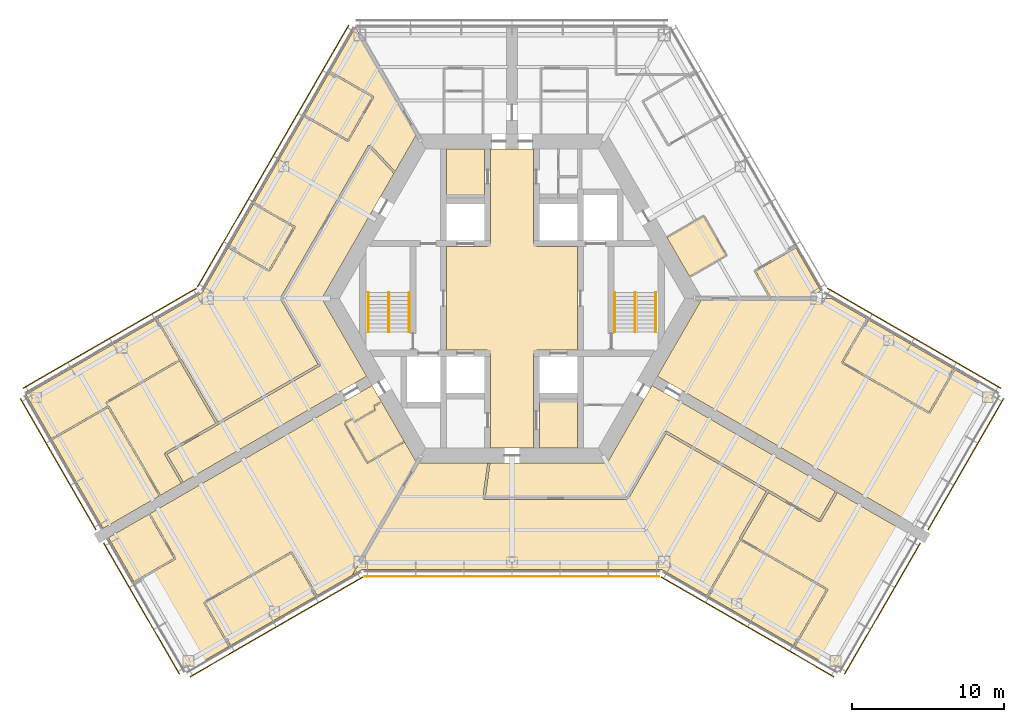
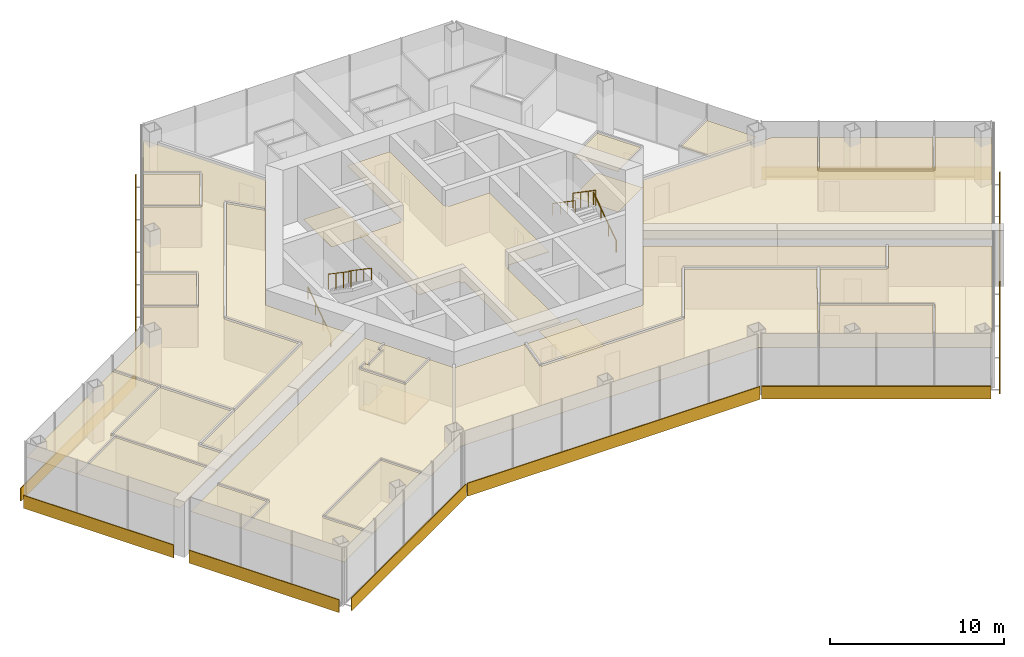
# One storey, part 17 of 18: 24 coverings, 10 shading devices, 6 railings.
"""IFC4 building model written with IfcOpenShell, lengths in metres."""

from ifc_helpers import new_model, si_unit, direction, frame, origin, origin_2d, place, context, subcontext, project, spatial, polyline, rectangle, circle, outline, extrude, material, layer, layer_set, type_object, element, save


model = new_model("IFC4")

# Units and contexts
model_context = context("Model", 3, precision=1e-05, world=origin(), true_north=direction((0.0, 1.0)))
body_context = subcontext(model_context, "Body", "Model", "MODEL_VIEW")
ifc_project = project(units=[si_unit("LENGTHUNIT", "METRE"), si_unit("AREAUNIT", "SQUARE_METRE"), si_unit("VOLUMEUNIT", "CUBIC_METRE"), si_unit("PLANEANGLEUNIT", "RADIAN"), si_unit("MASSUNIT", "GRAM", prefix="KILO")], contexts=[model_context])

# Site, building, storey
site_placement = place(None, origin())
site = spatial("IfcSite", under=ifc_project, at=site_placement, CompositionType="ELEMENT")
building_placement = place(site_placement, origin())
building = spatial("IfcBuilding", under=site, at=building_placement, Name="Kasaneha Research Tower", CompositionType="ELEMENT")
storey_placement = place(building_placement, frame((0.0, 0.0, 148.699951171875)))
storey = spatial("IfcBuildingStorey", under=building, at=storey_placement, Name="L37", CompositionType="ELEMENT", Elevation=148.699951171875)

# Covering
ifc_material_1 = material(Name="Aluminium panel ceiling", Category="aluminium")
ifc_layer_1 = layer(ifc_material_1, 0.0400390625)
ifc_layer_set_1 = layer_set([ifc_layer_1], Name="Lift lobby ceiling 40")
covering_type_1 = type_object("IfcCoveringType", Name="Lift lobby ceiling 40", PredefinedType="CEILING", material=ifc_layer_set_1)
covering_1_placement = place(storey_placement, frame((0.0, 0.0, 2.699951171875)))
element("IfcCovering", 1, at=covering_1_placement, inside=storey, type_object=covering_type_1, Name="Ceiling L37-01", PredefinedType="CEILING", context=body_context, shape_type="SweptSolid", body=[
    extrude(outline(polyline([(1.39990234375, 9.824951171875), (1.39990234375, 3.60009765625), (1.60009765625, 3.60009765625), (1.60009765625, 3.39990234375), (4.300048828125, 3.39990234375), (4.300048828125, -3.39990234375), (1.60009765625, -3.39990234375), (1.60009765625, -3.60009765625), (1.39990234375, -3.60009765625), (1.39990234375, -9.824951171875), (-1.39990234375, -9.824951171875), (-1.39990234375, -3.60009765625), (-1.60009765625, -3.60009765625), (-1.60009765625, -3.39990234375), (-4.300048828125, -3.39990234375), (-4.300048828125, 3.39990234375), (-1.60009765625, 3.39990234375), (-1.60009765625, 3.60009765625), (-1.39990234375, 3.60009765625), (-1.39990234375, 9.824951171875), (1.39990234375, 9.824951171875)])), origin(), (0.0, 0.0, 1.0), 0.0400390625),
])

# Railings
ifc_material_2 = material(Name="Steel", Category="steel")
railing_type_1 = type_object("IfcRailingType", Name="Stair balustrade 1100", PredefinedType="GUARDRAIL", material=ifc_material_2)
for number, where, name in (
    (2, (8.10009765625, 0.39990234375, 2.12744140625), "Stair 1 balustrade L37"),
    (3, (-8.10009765625, 0.39990234375, 2.12744140625), "Stair 2 balustrade L37"),
):
    element("IfcRailing", number, at=place(storey_placement, frame(where)), inside=storey, type_object=railing_type_1, Name=name, PredefinedType="GUARDRAIL", context=body_context, shape_type="SweptSolid", body=[
        extrude(circle(Radius=0.02392578125, at=origin_2d()), frame((0.0, 0.0, 1.076171875), z_axis=(0.0, -0.826215852431, 0.563353676824), x_axis=(1.0, 0.0, 0.0)), (0.0, 0.0, 1.0), 3.146728515625),
        extrude(circle(Radius=0.02099609375, at=origin_2d()), origin(), (0.0, 0.0, 1.0), 1.052001953125),
        extrude(circle(Radius=0.02099609375, at=origin_2d()), frame((0.0, -0.86669921875, 0.5908203125)), (0.0, 0.0, 1.0), 1.052001953125),
        extrude(circle(Radius=0.02099609375, at=origin_2d()), frame((0.0, -1.733154296875, 1.181884765625)), (0.0, 0.0, 1.0), 1.052001953125),
        extrude(circle(Radius=0.02099609375, at=origin_2d()), frame((0.0, -2.599853515625, 1.772705078125)), (0.0, 0.0, 1.0), 1.052001953125),
    ])
ifc_material_3 = material(Name="Steel", Category="steel")
railing_type_2 = type_object("IfcRailingType", Name="Stair handrail 850", PredefinedType="HANDRAIL", material=ifc_material_3)
railing_1_placement = place(storey_placement, frame((9.449951171875, -2.199951171875, 0.17724609375)))
element("IfcRailing", 4, at=railing_1_placement, inside=storey, type_object=railing_type_2, Name="Stair 1 handrail L37", PredefinedType="HANDRAIL", context=body_context, shape_type="SweptSolid", body=[
    extrude(circle(Radius=0.02392578125, at=origin_2d()), frame((0.0, 0.0, 0.826171875), z_axis=(0.0, 0.826215852431, 0.563353676824), x_axis=(-1.0, 0.0, 0.0)), (0.0, 0.0, 1.0), 3.146728515625),
    extrude(circle(Radius=0.02099609375, at=origin_2d()), origin(), (0.0, 0.0, 1.0), 0.802001953125),
    extrude(circle(Radius=0.02099609375, at=origin_2d()), frame((0.0, 0.86669921875, 0.5908203125)), (0.0, 0.0, 1.0), 0.802001953125),
    extrude(circle(Radius=0.02099609375, at=origin_2d()), frame((0.0, 1.733154296875, 1.181884765625)), (0.0, 0.0, 1.0), 0.802001953125),
    extrude(circle(Radius=0.02099609375, at=origin_2d()), frame((0.0, 2.599853515625, 1.772705078125)), (0.0, 0.0, 1.0), 0.802001953125),
])
railing_2_placement = place(storey_placement, frame((6.75, 0.39990234375, 2.12744140625)))
element("IfcRailing", 5, at=railing_2_placement, inside=storey, type_object=railing_type_2, Name="Stair 1 handrail L37", PredefinedType="HANDRAIL", context=body_context, shape_type="SweptSolid", body=[
    extrude(circle(Radius=0.02392578125, at=origin_2d()), frame((0.0, 0.0, 0.826171875), z_axis=(0.0, -0.826215852431, 0.563353676824), x_axis=(1.0, 0.0, 0.0)), (0.0, 0.0, 1.0), 3.146728515625),
    extrude(circle(Radius=0.02099609375, at=origin_2d()), origin(), (0.0, 0.0, 1.0), 0.802001953125),
    extrude(circle(Radius=0.02099609375, at=origin_2d()), frame((0.0, -0.86669921875, 0.5908203125)), (0.0, 0.0, 1.0), 0.802001953125),
    extrude(circle(Radius=0.02099609375, at=origin_2d()), frame((0.0, -1.733154296875, 1.181884765625)), (0.0, 0.0, 1.0), 0.802001953125),
    extrude(circle(Radius=0.02099609375, at=origin_2d()), frame((0.0, -2.599853515625, 1.772705078125)), (0.0, 0.0, 1.0), 0.802001953125),
])
railing_3_placement = place(storey_placement, frame((-9.449951171875, -2.199951171875, 0.17724609375)))
element("IfcRailing", 6, at=railing_3_placement, inside=storey, type_object=railing_type_2, Name="Stair 2 handrail L37", PredefinedType="HANDRAIL", context=body_context, shape_type="SweptSolid", body=[
    extrude(circle(Radius=0.02392578125, at=origin_2d()), frame((0.0, 0.0, 0.826171875), z_axis=(0.0, 0.826215852431, 0.563353676824), x_axis=(-1.0, 0.0, 0.0)), (0.0, 0.0, 1.0), 3.146728515625),
    extrude(circle(Radius=0.02099609375, at=origin_2d()), origin(), (0.0, 0.0, 1.0), 0.802001953125),
    extrude(circle(Radius=0.02099609375, at=origin_2d()), frame((0.0, 0.86669921875, 0.5908203125)), (0.0, 0.0, 1.0), 0.802001953125),
    extrude(circle(Radius=0.02099609375, at=origin_2d()), frame((0.0, 1.733154296875, 1.181884765625)), (0.0, 0.0, 1.0), 0.802001953125),
    extrude(circle(Radius=0.02099609375, at=origin_2d()), frame((0.0, 2.599853515625, 1.772705078125)), (0.0, 0.0, 1.0), 0.802001953125),
])
railing_4_placement = place(storey_placement, frame((-6.75, 0.39990234375, 2.12744140625)))
element("IfcRailing", 7, at=railing_4_placement, inside=storey, type_object=railing_type_2, Name="Stair 2 handrail L37", PredefinedType="HANDRAIL", context=body_context, shape_type="SweptSolid", body=[
    extrude(circle(Radius=0.02392578125, at=origin_2d()), frame((0.0, 0.0, 0.826171875), z_axis=(0.0, -0.826215852431, 0.563353676824), x_axis=(1.0, 0.0, 0.0)), (0.0, 0.0, 1.0), 3.146728515625),
    extrude(circle(Radius=0.02099609375, at=origin_2d()), origin(), (0.0, 0.0, 1.0), 0.802001953125),
    extrude(circle(Radius=0.02099609375, at=origin_2d()), frame((0.0, -0.86669921875, 0.5908203125)), (0.0, 0.0, 1.0), 0.802001953125),
    extrude(circle(Radius=0.02099609375, at=origin_2d()), frame((0.0, -1.733154296875, 1.181884765625)), (0.0, 0.0, 1.0), 0.802001953125),
    extrude(circle(Radius=0.02099609375, at=origin_2d()), frame((0.0, -2.599853515625, 1.772705078125)), (0.0, 0.0, 1.0), 0.802001953125),
])

# Coverings
ifc_material_4 = material(Name="Gypsum ceiling board", Category="gypsum")
ifc_layer_2 = layer(ifc_material_4, 0.02001953125)
ifc_layer_set_2 = layer_set([ifc_layer_2], Name="Suspended ceiling 20")
covering_type_2 = type_object("IfcCoveringType", Name="Suspended ceiling 20", PredefinedType="CEILING", material=ifc_layer_set_2)
covering_2_placement = place(storey_placement, frame((0.0, 0.0, 2.800048828125)))
element("IfcCovering", 8, at=covering_2_placement, inside=storey, type_object=covering_type_2, Name="Ceiling L37-27", PredefinedType="CEILING", context=body_context, shape_type="SweptSolid", body=[
    extrude(outline(polyline([(10.1748046875, 4.02685546875), (10.192138671875, 4.036865234375), (10.217041015625, 3.99365234375), (12.581298828125, 5.358642578125), (14.03125, 2.84716796875), (11.6669921875, 1.482177734375), (11.692138671875, 1.438720703125), (11.6748046875, 1.4287109375), (10.1748046875, 4.02685546875)])), origin(), (0.0, 0.0, 1.0), 0.02001953125),
])
covering_3_placement = place(storey_placement, frame((0.0, 0.0, 2.800048828125)))
element("IfcCovering", 9, at=covering_3_placement, inside=storey, type_object=covering_type_2, Name="Ceiling L37-29", PredefinedType="CEILING", context=body_context, shape_type="SweptSolid", body=[
    extrude(outline(polyline([(19.41845703125, 0.0), (16.997802734375, 0.0), (16.986328125, 0.02001953125), (17.029541015625, 0.044921875), (16.020751953125, 1.792236328125), (18.644775390625, 3.30712890625), (18.619873046875, 3.3505859375), (18.63720703125, 3.360595703125), (20.28759765625, 0.501708984375), (19.41845703125, 0.0)])), origin(), (0.0, 0.0, 1.0), 0.02001953125),
])
covering_4_placement = place(storey_placement, frame((0.0, 0.0, 2.800048828125)))
element("IfcCovering", 10, at=covering_4_placement, inside=storey, type_object=covering_type_2, Name="Ceiling L37-35", PredefinedType="CEILING", context=body_context, shape_type="SweptSolid", body=[
    extrude(outline(polyline([(-9.5498046875, -5.109375), (-10.3291015625, -5.559326171875), (-10.3291015625, -5.559326171875), (-12.17041015625, -6.622314453125), (-21.670166015625, -12.107177734375), (-21.68017578125, -12.08984375), (-21.615234375, -12.05224609375), (-22.667724609375, -10.229248046875), (-19.333984375, -8.3046875), (-19.333984375, -8.3046875), (-12.60400390625, -4.4189453125), (-12.6416015625, -4.35400390625), (-12.57666015625, -4.316650390625), (-15.06884765625, 0.0), (-9.345947265625, 9.912353515625), (-7.7890625, 8.24267578125), (-7.734130859375, 8.2939453125), (-7.719970703125, 8.278564453125), (-12.49951171875, 0.0), (-9.5498046875, -5.109375)])), origin(), (0.0, 0.0, 1.0), 0.02001953125),
])
covering_5_placement = place(storey_placement, frame((0.0, 0.0, 2.800048828125)))
element("IfcCovering", 11, at=covering_5_placement, inside=storey, type_object=covering_type_2, Name="Ceiling L37-36", PredefinedType="CEILING", context=body_context, shape_type="SweptSolid", body=[
    extrude(outline(polyline([(-12.000244140625, 14.85595703125), (-9.185791015625, 13.23095703125), (-10.80126953125, 10.432861328125), (-13.598388671875, 12.0478515625), (-13.623291015625, 12.004638671875), (-13.640869140625, 12.0146484375), (-12.000244140625, 14.85595703125)])), origin(), (0.0, 0.0, 1.0), 0.02001953125),
])
covering_6_placement = place(storey_placement, frame((0.0, 0.0, 2.800048828125)))
element("IfcCovering", 12, at=covering_6_placement, inside=storey, type_object=covering_type_2, Name="Ceiling L37-37", PredefinedType="CEILING", context=body_context, shape_type="SweptSolid", body=[
    extrude(outline(polyline([(-30.224609375, -9.290283203125), (-26.544677734375, -7.172119140625), (-23.19580078125, -12.96484375), (-23.15234375, -12.93994140625), (-23.142333984375, -12.95703125), (-25.3876953125, -14.25341796875), (-26.866455078125, -15.107177734375), (-30.224609375, -9.290283203125)])), origin(), (0.0, 0.0, 1.0), 0.02001953125),
])
covering_7_placement = place(storey_placement, frame((0.0, 0.0, 2.800048828125)))
element("IfcCovering", 13, at=covering_7_placement, inside=storey, type_object=covering_type_2, Name="Ceiling L37-38", PredefinedType="CEILING", context=body_context, shape_type="SweptSolid", body=[
    extrude(outline(polyline([(-16.99658203125, 6.201904296875), (-14.355224609375, 4.677001953125), (-15.970703125, 1.87890625), (-18.5947265625, 3.393798828125), (-18.619873046875, 3.3505859375), (-18.63720703125, 3.360595703125), (-16.99658203125, 6.201904296875)])), origin(), (0.0, 0.0, 1.0), 0.02001953125),
])
covering_8_placement = place(storey_placement, frame((0.0, 0.0, 2.800048828125)))
element("IfcCovering", 14, at=covering_8_placement, inside=storey, type_object=covering_type_2, Name="Ceiling L37-39", PredefinedType="CEILING", context=body_context, shape_type="SweptSolid", body=[
    extrude(outline(polyline([(-23.332275390625, -1.36962890625), (-23.37548828125, -1.39453125), (-21.866455078125, -4.017578125), (-26.691162109375, -6.808837890625), (-26.663818359375, -6.85595703125), (-26.525390625, -7.0966796875), (-26.52587890625, -7.096923828125), (-26.5478515625, -7.058349609375), (-30.275146484375, -9.203857421875), (-31.94189453125, -6.31689453125), (-29.075439453125, -4.661865234375), (-28.665771484375, -5.370849609375), (-29.074951171875, -4.662109375), (-23.34228515625, -1.352294921875), (-23.332275390625, -1.36962890625)])), origin(), (0.0, 0.0, 1.0), 0.02001953125),
])
covering_9_placement = place(storey_placement, frame((0.0, 0.0, 2.800048828125)))
element("IfcCovering", 15, at=covering_9_placement, inside=storey, type_object=covering_type_2, Name="Ceiling L37-40", PredefinedType="CEILING", context=body_context, shape_type="SweptSolid", body=[
    extrude(outline(polyline([(-9.360595703125, 10.037841796875), (-9.360595703125, 10.037841796875), (-9.425048828125, 10.0751953125), (-15.220458984375, 0.03759765625), (-15.15576171875, 0.000244140625), (-15.156005859375, 0.000244140625), (-15.15576171875, -0.000244140625), (-15.220458984375, -0.03759765625), (-12.744140625, -4.32666015625), (-19.33544921875, -8.13232421875), (-21.72900390625, -3.995849609375), (-21.7548828125, -4.0107421875), (-23.288818359375, -1.3447265625), (-23.331787109375, -1.369384765625), (-23.341796875, -1.35205078125), (-20.365966796875, 0.365966796875), (-18.637451171875, 3.360107421875), (-18.6201171875, 3.35009765625), (-18.644775390625, 3.30712890625), (-15.9775390625, 1.76708984375), (-15.952392578125, 1.810546875), (-15.9521484375, 1.810302734375), (-15.9521484375, 1.810302734375), (-15.9091796875, 1.785400390625), (-14.24365234375, 4.670166015625), (-14.28662109375, 4.695068359375), (-14.28662109375, 4.6953125), (-14.286865234375, 4.695556640625), (-14.261962890625, 4.738525390625), (-16.94677734375, 6.28857421875), (-13.64111328125, 12.01416015625), (-13.62353515625, 12.004150390625), (-13.6484375, 11.961181640625), (-10.807861328125, 10.3212890625), (-10.782958984375, 10.3642578125), (-10.78271484375, 10.364013671875), (-10.782470703125, 10.3642578125), (-10.739501953125, 10.339599609375), (-9.07421875, 13.22412109375), (-9.116943359375, 13.2490234375), (-9.116943359375, 13.2490234375), (-9.117431640625, 13.249267578125), (-9.09228515625, 13.29248046875), (-11.9501953125, 14.9423828125), (-10.28857421875, 17.820556640625), (-6.249755859375, 10.824951171875), (-7.6806640625, 8.346435546875), (-9.305419921875, 10.0888671875), (-9.360107421875, 10.03759765625), (-9.3603515625, 10.03759765625), (-9.360595703125, 10.037841796875)])), origin(), (0.0, 0.0, 1.0), 0.02001953125),
])
covering_10_placement = place(storey_placement, frame((0.0, 0.0, 2.800048828125)))
element("IfcCovering", 16, at=covering_10_placement, inside=storey, type_object=covering_type_2, Name="Ceiling L37-41", PredefinedType="CEILING", context=body_context, shape_type="SweptSolid", body=[
    extrude(outline(polyline([(-22.574462890625, -12.629150390625), (-23.14208984375, -12.956787109375), (-23.152099609375, -12.939453125), (-23.109130859375, -12.914794921875), (-26.48583984375, -7.073974609375), (-26.52490234375, -7.096435546875), (-26.65966796875, -6.863037109375), (-26.64111328125, -6.895263671875), (-21.833740234375, -4.1142578125), (-19.46533203125, -8.207275390625), (-22.8076171875, -10.136962890625), (-22.770263671875, -10.201904296875), (-22.835205078125, -10.239501953125), (-21.7451171875, -12.127197265625), (-21.6806640625, -12.090087890625), (-21.670654296875, -12.107421875), (-22.574462890625, -12.629150390625)])), origin(), (0.0, 0.0, 1.0), 0.02001953125),
])
covering_11_placement = place(storey_placement, frame((0.0, 0.0, 2.800048828125)))
element("IfcCovering", 17, at=covering_11_placement, inside=storey, type_object=covering_type_2, Name="Ceiling L37-42", PredefinedType="CEILING", context=body_context, shape_type="SweptSolid", body=[
    extrude(outline(polyline([(-10.35498046875, -8.11474609375), (-10.35498046875, -8.11474609375), (-10.330078125, -8.157958984375), (-8.9443359375, -7.35791015625), (-8.994384765625, -7.271240234375), (-8.994384765625, -7.271240234375), (-9.09423828125, -7.09814453125), (-9.09423828125, -7.09814453125), (-9.0693359375, -7.141357421875), (-8.56689453125, -6.851318359375), (-8.592041015625, -6.80810546875), (-8.57470703125, -6.798095703125), (-7.07470703125, -9.396240234375), (-7.092041015625, -9.40625), (-7.116943359375, -9.36279296875), (-9.481201171875, -10.727783203125), (-10.931396484375, -8.21630859375), (-10.455078125, -7.94140625), (-10.35498046875, -8.11474609375)])), origin(), (0.0, 0.0, 1.0), 0.02001953125),
])
covering_12_placement = place(storey_placement, frame((0.0, 0.0, 2.800048828125)))
element("IfcCovering", 18, at=covering_12_placement, inside=storey, type_object=covering_type_2, Name="Ceiling L37-43", PredefinedType="CEILING", context=body_context, shape_type="SweptSolid", body=[
    extrude(outline(polyline([(-18.574951171875, -22.8486328125), (-18.5849609375, -22.831298828125), (-18.541748046875, -22.806396484375), (-20.15673828125, -20.009033203125), (-14.510498046875, -16.749267578125), (-12.885498046875, -19.563720703125), (-18.574951171875, -22.8486328125)])), origin(), (0.0, 0.0, 1.0), 0.02001953125),
])
covering_13_placement = place(storey_placement, frame((0.0, 0.0, 2.800048828125)))
element("IfcCovering", 19, at=covering_13_placement, inside=storey, type_object=covering_type_2, Name="Ceiling L37-44", PredefinedType="CEILING", context=body_context, shape_type="SweptSolid", body=[
    extrude(outline(polyline([(-23.83154296875, -14.163330078125), (-23.82177734375, -14.1806640625), (-23.864990234375, -14.205810546875), (-22.208251953125, -17.0751953125), (-24.849609375, -18.60009765625), (-26.516357421875, -15.71337890625), (-23.83154296875, -14.163330078125)])), origin(), (0.0, 0.0, 1.0), 0.02001953125),
])
covering_14_placement = place(storey_placement, frame((0.0, 0.0, 2.800048828125)))
element("IfcCovering", 20, at=covering_14_placement, inside=storey, type_object=covering_type_2, Name="Ceiling L37-45", PredefinedType="CEILING", context=body_context, shape_type="SweptSolid", body=[
    extrude(outline(polyline([(-9.979248046875, -6.16552734375), (-9.979248046875, -6.16552734375), (-9.19970703125, -5.715576171875), (-8.574951171875, -6.797607421875), (-8.59228515625, -6.8076171875), (-8.616943359375, -6.764892578125), (-9.119384765625, -7.0546875), (-9.094482421875, -7.09765625), (-9.0947265625, -7.097900390625), (-8.99462890625, -7.271484375), (-10.379638671875, -8.071044921875), (-10.47998046875, -7.897705078125), (-10.480224609375, -7.897705078125), (-10.5048828125, -7.854736328125), (-11.024658203125, -8.15478515625), (-10.999755859375, -8.19775390625), (-11.0, -8.197998046875), (-11.0, -8.1982421875), (-11.04296875, -8.22314453125), (-9.54296875, -10.8212890625), (-9.5, -10.79638671875), (-9.5, -10.796630859375), (-9.49951171875, -10.79638671875), (-9.474609375, -10.839599609375), (-7.06689453125, -9.449462890625), (-7.091796875, -9.40673828125), (-7.074462890625, -9.396728515625), (-6.249755859375, -10.824951171875), (-10.5, -18.1865234375), (-12.798828125, -19.513916015625), (-14.448974609375, -16.656005859375), (-14.4921875, -16.680908203125), (-14.51708984375, -16.6376953125), (-20.25, -19.947509765625), (-20.225341796875, -19.990234375), (-20.225341796875, -19.990478515625), (-20.22509765625, -19.99072265625), (-20.268310546875, -20.015625), (-18.62841796875, -22.856201171875), (-18.58544921875, -22.83154296875), (-18.575439453125, -22.848876953125), (-21.44140625, -24.50341796875), (-24.7998046875, -18.686767578125), (-22.114990234375, -17.13671875), (-22.139892578125, -17.09375), (-22.139404296875, -17.093505859375), (-22.1396484375, -17.09326171875), (-22.0966796875, -17.068359375), (-23.7783203125, -14.15576171875), (-23.8212890625, -14.180419921875), (-23.831298828125, -14.1630859375), (-10.84521484375, -6.66552734375), (-10.84521484375, -6.66552734375), (-9.979248046875, -6.16552734375)])), origin(), (0.0, 0.0, 1.0), 0.02001953125),
])
covering_15_placement = place(storey_placement, frame((0.0, 0.0, 2.800048828125)))
element("IfcCovering", 21, at=covering_15_placement, inside=storey, type_object=covering_type_2, Name="Ceiling L37-46", PredefinedType="CEILING", context=body_context, shape_type="SweptSolid", body=[
    extrude(outline(polyline([(29.03173828125, -4.636962890625), (27.40673828125, -7.45166015625), (21.760498046875, -4.19189453125), (23.37548828125, -1.39453125), (23.332275390625, -1.36962890625), (23.34228515625, -1.352294921875), (29.03173828125, -4.636962890625)])), origin(), (0.0, 0.0, 1.0), 0.02001953125),
])
covering_16_placement = place(storey_placement, frame((0.0, 0.0, 2.800048828125)))
element("IfcCovering", 22, at=covering_16_placement, inside=storey, type_object=covering_type_2, Name="Ceiling L37-47", PredefinedType="CEILING", context=body_context, shape_type="SweptSolid", body=[
    extrude(outline(polyline([(9.5498046875, -5.109375), (12.49951171875, 0.0), (16.93994140625, 0.0), (16.94287109375, -0.0048828125), (16.95166015625, 0.0), (21.0, 0.0), (23.341796875, -1.35205078125), (23.331787109375, -1.369384765625), (23.288818359375, -1.344482421875), (21.64892578125, -4.185302734375), (21.692138671875, -4.210205078125), (21.69189453125, -4.21044921875), (21.69189453125, -4.210693359375), (21.667236328125, -4.25341796875), (27.39990234375, -7.563232421875), (27.425048828125, -7.52001953125), (27.46826171875, -7.544921875), (29.1181640625, -4.68701171875), (31.94140625, -6.31689453125), (26.866455078125, -15.107177734375), (14.286376953125, -7.843994140625), (10.3291015625, -5.559326171875), (10.3291015625, -5.559326171875), (9.5498046875, -5.109375)])), origin(), (0.0, 0.0, 1.0), 0.02001953125),
])
covering_17_placement = place(storey_placement, frame((0.0, 0.0, 2.800048828125)))
element("IfcCovering", 23, at=covering_17_placement, inside=storey, type_object=covering_type_2, Name="Ceiling L37-48", PredefinedType="CEILING", context=body_context, shape_type="SweptSolid", body=[
    extrude(outline(polyline([(10.091552734375, -8.77099609375), (10.026611328125, -8.7333984375), (7.534423828125, -13.050048828125), (-1.75830078125, -13.050048828125), (-1.449951171875, -10.85546875), (-1.524169921875, -10.844970703125), (-1.521240234375, -10.824951171875), (6.249755859375, -10.824951171875), (9.19970703125, -5.715576171875), (9.979248046875, -6.16552734375), (9.979248046875, -6.16552734375), (10.84521484375, -6.66552734375), (10.84521484375, -6.66552734375), (16.76171875, -10.08154296875), (21.320068359375, -12.71337890625), (21.310302734375, -12.730712890625), (21.245361328125, -12.693115234375), (20.19287109375, -14.51611328125), (16.850341796875, -12.58642578125), (16.850341796875, -12.58642578125), (10.129150390625, -8.7060546875), (10.091552734375, -8.77099609375), (10.091552734375, -8.770751953125), (10.091552734375, -8.77099609375)])), origin(), (0.0, 0.0, 1.0), 0.02001953125),
])
covering_18_placement = place(storey_placement, frame((0.0, 0.0, 2.800048828125)))
element("IfcCovering", 24, at=covering_18_placement, inside=storey, type_object=covering_type_2, Name="Ceiling L37-49", PredefinedType="CEILING", context=body_context, shape_type="SweptSolid", body=[
    extrude(outline(polyline([(12.885498046875, -19.563720703125), (15.012451171875, -15.889404296875), (20.65673828125, -19.14306640625), (18.541748046875, -22.806396484375), (18.5849609375, -22.831298828125), (18.574951171875, -22.8486328125), (12.885498046875, -19.563720703125)])), origin(), (0.0, 0.0, 1.0), 0.02001953125),
])
covering_19_placement = place(storey_placement, frame((0.0, 0.0, 2.800048828125)))
element("IfcCovering", 25, at=covering_19_placement, inside=storey, type_object=covering_type_2, Name="Ceiling L37-50", PredefinedType="CEILING", context=body_context, shape_type="SweptSolid", body=[
    extrude(outline(polyline([(-6.249755859375, -10.824951171875), (-1.52197265625, -10.824951171875), (-1.524658203125, -10.844970703125), (-1.598388671875, -10.83447265625), (-1.9189453125, -13.114501953125), (-1.8447265625, -13.125), (-1.8447265625, -13.12548828125), (-1.844482421875, -13.12548828125), (-1.844482421875, -13.199951171875), (7.57763671875, -13.199951171875), (7.57763671875, -13.12548828125), (7.577880859375, -13.12548828125), (7.577880859375, -13.125244140625), (7.642578125, -13.16259765625), (10.119140625, -8.873291015625), (16.71044921875, -12.678955078125), (14.9248046875, -15.78125), (14.95068359375, -15.796142578125), (12.798828125, -19.513916015625), (9.865966796875, -17.820556640625), (-9.865966796875, -17.820556640625), (-10.5, -18.1865234375), (-6.249755859375, -10.824951171875)])), origin(), (0.0, 0.0, 1.0), 0.02001953125),
])
covering_20_placement = place(storey_placement, frame((0.0, 0.0, 2.800048828125)))
element("IfcCovering", 26, at=covering_20_placement, inside=storey, type_object=covering_type_2, Name="Ceiling L37-51", PredefinedType="CEILING", context=body_context, shape_type="SweptSolid", body=[
    extrude(outline(polyline([(20.220458984375, -14.61865234375), (20.28515625, -14.656005859375), (21.375244140625, -12.768310546875), (21.310546875, -12.73095703125), (21.320556640625, -12.713623046875), (25.57421875, -15.16943359375), (26.516357421875, -15.71337890625), (21.44140625, -24.50341796875), (18.575439453125, -22.848876953125), (18.58544921875, -22.83154296875), (18.62841796875, -22.856201171875), (20.768310546875, -19.149658203125), (20.72509765625, -19.124755859375), (20.725341796875, -19.12451171875), (20.725341796875, -19.124267578125), (20.75, -19.081298828125), (15.079833984375, -15.812744140625), (16.84033203125, -12.75390625), (20.1826171875, -14.68359375), (20.219970703125, -14.618896484375), (20.22021484375, -14.619140625), (20.220458984375, -14.61865234375)])), origin(), (0.0, 0.0, 1.0), 0.02001953125),
])

# Shading devices
ifc_material_5 = material(Name="Terracotta", Category="masonry")
ifc_layer_3 = layer(ifc_material_5, 0.06005859375)
ifc_layer_set_3 = layer_set([ifc_layer_3], Name="Terracotta baguette screen")
shading_device_type = type_object("IfcShadingDeviceType", Name="Terracotta baguette screen", PredefinedType="USERDEFINED", material=ifc_layer_set_3)
shading_device_1_placement = place(storey_placement, frame((0.0, -18.2705078125, -0.449951171875), z_axis=(0.0, 0.0, 1.0), x_axis=(1.0, 0.0, 0.0)))
element("IfcShadingDevice", 27, at=shading_device_1_placement, inside=storey, type_object=shading_device_type, Name="Baguette screen L37 01", ObjectType="TERRACOTTA BAGUETTE SCREEN", PredefinedType="USERDEFINED", context=body_context, shape_type="SweptSolid", body=[
    extrude(rectangle(XDim=19.37841796875, YDim=0.06005859375, at=origin_2d()), origin(), (0.0, 0.0, 1.0), 0.89990234375),
])
shading_device_2_placement = place(storey_placement, frame((15.483642578125, -21.58349609375, -0.449951171875), z_axis=(0.0, 0.0, 1.0), x_axis=(0.866025411464, -0.499999986699, 0.0)))
element("IfcShadingDevice", 28, at=shading_device_2_placement, inside=storey, type_object=shading_device_type, Name="Baguette screen L37 02", ObjectType="TERRACOTTA BAGUETTE SCREEN", PredefinedType="USERDEFINED", context=body_context, shape_type="SweptSolid", body=[
    extrude(rectangle(XDim=13.13916015625, YDim=0.06005859375, at=origin_2d()), origin(), (0.0, 0.0, 1.0), 0.89990234375),
])
for number, where, z_axis, x_axis, name in (
    (29, (24.343505859375, -20.376708984375, -0.449951171875), (0.0, 0.0, 1.0), (0.500000011442, 0.866025397178, 0.0), "Baguette screen L37 03"),
    (30, (29.818603515625, -10.893798828125, -0.449951171875), (0.0, 0.0, 1.0), (0.500000011442, 0.866025397178, 0.0), "Baguette screen L37 04"),
):
    element("IfcShadingDevice", number, at=place(storey_placement, frame(where, z_axis=z_axis, x_axis=x_axis)), inside=storey, type_object=shading_device_type, Name=name, ObjectType="TERRACOTTA BAGUETTE SCREEN", PredefinedType="USERDEFINED", context=body_context, shape_type="SweptSolid", body=[
        extrude(rectangle(XDim=9.949951171875, YDim=0.06005859375, at=origin_2d()), origin(), (0.0, 0.0, 1.0), 0.89990234375),
    ])
shading_device_3_placement = place(storey_placement, frame((26.43359375, -2.617431640625, -0.449951171875), z_axis=(0.0, 0.0, 1.0), x_axis=(-0.866025411464, 0.499999986699, 0.0)))
element("IfcShadingDevice", 31, at=shading_device_3_placement, inside=storey, type_object=shading_device_type, Name="Baguette screen L37 05", ObjectType="TERRACOTTA BAGUETTE SCREEN", PredefinedType="USERDEFINED", context=body_context, shape_type="SweptSolid", body=[
    extrude(rectangle(XDim=13.13916015625, YDim=0.06005859375, at=origin_2d()), origin(), (0.0, 0.0, 1.0), 0.89990234375),
])
shading_device_4_placement = place(storey_placement, frame((-15.696044921875, 9.35498046875, -0.449951171875), z_axis=(0.0, 0.0, 1.0), x_axis=(-0.499999979232, -0.866025415775, 0.0)))
element("IfcShadingDevice", 32, at=shading_device_4_placement, inside=storey, type_object=shading_device_type, Name="Baguette screen L37 08", ObjectType="TERRACOTTA BAGUETTE SCREEN", PredefinedType="USERDEFINED", context=body_context, shape_type="SweptSolid", body=[
    extrude(rectangle(XDim=19.8857421875, YDim=0.06005859375, at=origin_2d()), origin(), (0.0, 0.0, 1.0), 0.89990234375),
])
shading_device_5_placement = place(storey_placement, frame((-26.43359375, -2.617431640625, -0.449951171875), z_axis=(0.0, 0.0, 1.0), x_axis=(-0.866025411464, -0.499999986699, 0.0)))
element("IfcShadingDevice", 33, at=shading_device_5_placement, inside=storey, type_object=shading_device_type, Name="Baguette screen L37 09", ObjectType="TERRACOTTA BAGUETTE SCREEN", PredefinedType="USERDEFINED", context=body_context, shape_type="SweptSolid", body=[
    extrude(rectangle(XDim=13.13916015625, YDim=0.06005859375, at=origin_2d()), origin(), (0.0, 0.0, 1.0), 0.89990234375),
])
for number, where, z_axis, x_axis, name in (
    (34, (-29.818603515625, -10.893798828125, -0.449951171875), (0.0, 0.0, 1.0), (0.500000011442, -0.866025397178, 0.0), "Baguette screen L37 10"),
    (35, (-24.343505859375, -20.376708984375, -0.449951171875), (0.0, 0.0, 1.0), (0.500000011442, -0.866025397178, 0.0), "Baguette screen L37 11"),
):
    element("IfcShadingDevice", number, at=place(storey_placement, frame(where, z_axis=z_axis, x_axis=x_axis)), inside=storey, type_object=shading_device_type, Name=name, ObjectType="TERRACOTTA BAGUETTE SCREEN", PredefinedType="USERDEFINED", context=body_context, shape_type="SweptSolid", body=[
        extrude(rectangle(XDim=9.949951171875, YDim=0.06005859375, at=origin_2d()), origin(), (0.0, 0.0, 1.0), 0.89990234375),
    ])
shading_device_6_placement = place(storey_placement, frame((-15.483642578125, -21.58349609375, -0.449951171875), z_axis=(0.0, 0.0, 1.0), x_axis=(0.866025411464, 0.499999986699, 0.0)))
element("IfcShadingDevice", 36, at=shading_device_6_placement, inside=storey, type_object=shading_device_type, Name="Baguette screen L37 12", ObjectType="TERRACOTTA BAGUETTE SCREEN", PredefinedType="USERDEFINED", context=body_context, shape_type="SweptSolid", body=[
    extrude(rectangle(XDim=13.13916015625, YDim=0.06005859375, at=origin_2d()), origin(), (0.0, 0.0, 1.0), 0.89990234375),
])

# Coverings
ifc_material_6 = material(Name="Vinyl sheet flooring", Category="plastic")
ifc_layer_4 = layer(ifc_material_6, 0.0048828125)
ifc_layer_set_4 = layer_set([ifc_layer_4], Name="Wet room sheet flooring 5")
covering_type_3 = type_object("IfcCoveringType", Name="Wet room sheet flooring 5", PredefinedType="FLOORING", material=ifc_layer_set_4)
covering_21_placement = place(storey_placement, origin())
element("IfcCovering", 37, at=covering_21_placement, inside=storey, type_object=covering_type_3, Name="Floor finish L37-06", PredefinedType="FLOORING", context=body_context, shape_type="SweptSolid", body=[
    extrude(outline(polyline([(-1.800048828125, 9.824951171875), (-1.800048828125, 6.60009765625), (-4.300048828125, 6.60009765625), (-4.300048828125, 9.824951171875), (-1.800048828125, 9.824951171875)])), origin(), (0.0, 0.0, 1.0), 0.005126953125),
])
covering_22_placement = place(storey_placement, origin())
element("IfcCovering", 38, at=covering_22_placement, inside=storey, type_object=covering_type_3, Name="Floor finish L37-11", PredefinedType="FLOORING", context=body_context, shape_type="SweptSolid", body=[
    extrude(outline(polyline([(1.800048828125, -9.824951171875), (1.800048828125, -6.60009765625), (4.300048828125, -6.60009765625), (4.300048828125, -9.824951171875), (1.800048828125, -9.824951171875)])), origin(), (0.0, 0.0, 1.0), 0.005126953125),
])
covering_23_placement = place(storey_placement, origin())
element("IfcCovering", 39, at=covering_23_placement, inside=storey, type_object=covering_type_3, Name="Floor finish L37-27", PredefinedType="FLOORING", context=body_context, shape_type="SweptSolid", body=[
    extrude(outline(polyline([(14.099609375, 2.828857421875), (11.6748046875, 1.4287109375), (10.1748046875, 4.02685546875), (12.599609375, 5.4267578125), (14.099609375, 2.828857421875)])), origin(), (0.0, 0.0, 1.0), 0.005126953125),
])
covering_24_placement = place(storey_placement, origin())
element("IfcCovering", 40, at=covering_24_placement, inside=storey, type_object=covering_type_3, Name="Floor finish L37-42", PredefinedType="FLOORING", context=body_context, shape_type="SweptSolid", body=[
    extrude(outline(polyline([(-10.99951171875, -8.1982421875), (-10.47998046875, -7.898193359375), (-10.35498046875, -8.11474609375), (-8.96923828125, -7.314697265625), (-9.09423828125, -7.09814453125), (-8.57470703125, -6.798095703125), (-7.07470703125, -9.396240234375), (-9.49951171875, -10.796142578125), (-10.99951171875, -8.1982421875)])), origin(), (0.0, 0.0, 1.0), 0.005126953125),
])

save(model, "model.ifc")
